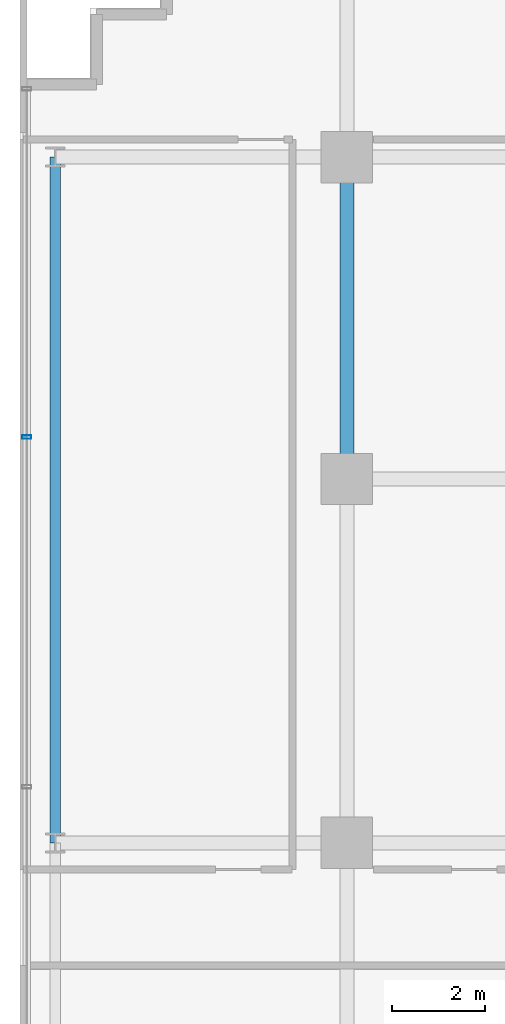
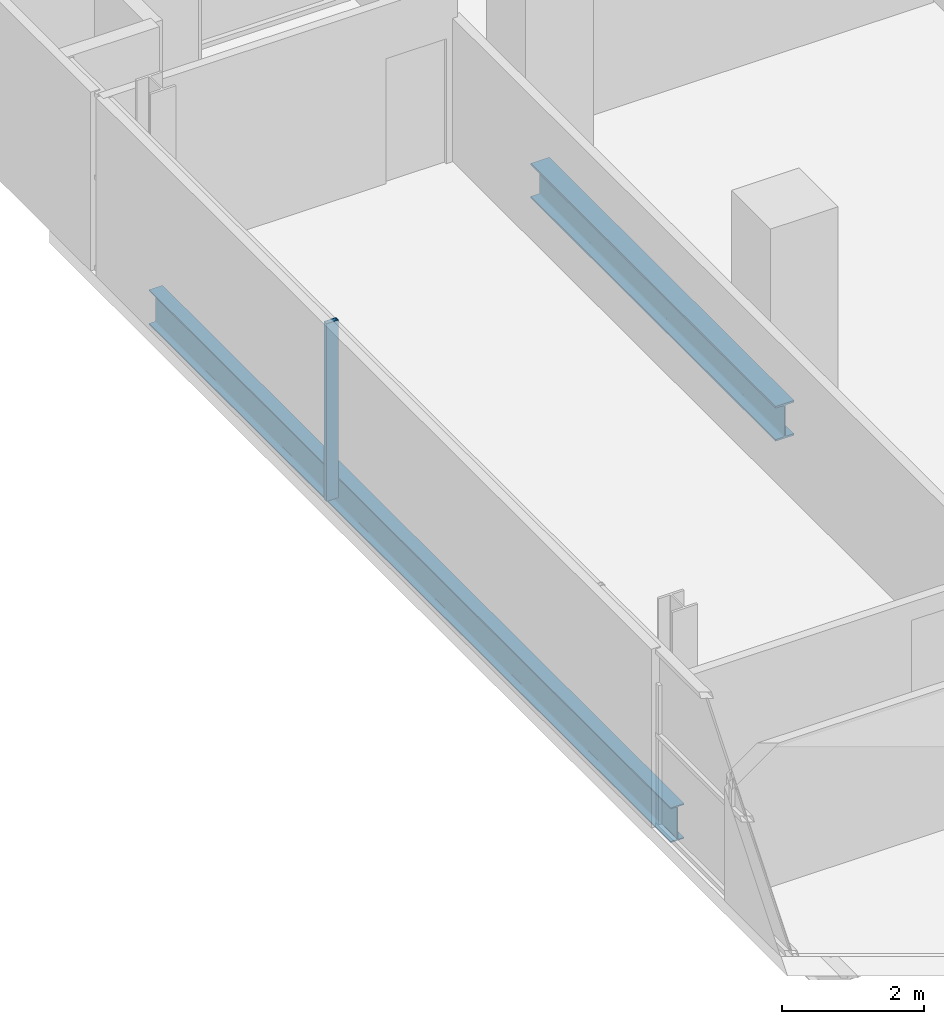
# One storey, part 9 of 28: 2 beams, 1 member, 1 element without a shape of its own.
"""IFC4 building model written with IfcOpenShell, lengths in metres."""

from ifc_helpers import new_model, si_unit, direction, frame, origin, origin_2d, place, context, subcontext, project, spatial, hollow_rectangle, i_section, extrude, source, transform, mapped, material, layer, layer_set, material_profile, profile_set, type_object, element, aggregate, save


model = new_model("IFC4")

# Units and contexts
model_context = context("Model", 3, precision=1e-05, world=origin(), true_north=direction((0.0, 1.0)))
body_context = subcontext(model_context, "Body", "Model", "MODEL_VIEW")
ifc_project = project(units=[si_unit("LENGTHUNIT", "METRE"), si_unit("AREAUNIT", "SQUARE_METRE"), si_unit("VOLUMEUNIT", "CUBIC_METRE"), si_unit("PLANEANGLEUNIT", "RADIAN"), si_unit("MASSUNIT", "GRAM", prefix="KILO")], contexts=[model_context])

# Site, building, storey
site_placement = place(None, origin())
site = spatial("IfcSite", under=ifc_project, at=site_placement, CompositionType="ELEMENT")
building_placement = place(site_placement, origin())
building = spatial("IfcBuilding", under=site, at=building_placement, Name="Zarnakvel Exchange Tower", CompositionType="ELEMENT")
storey_placement = place(building_placement, frame((0.0, 0.0, 57.10009765625)))
storey = spatial("IfcBuildingStorey", under=building, at=storey_placement, Name="L15", CompositionType="ELEMENT", Elevation=57.10009765625)

# Beams
ifc_material_1 = material(Name="Steel S355", Category="steel")
ifc_material_profile_1 = material_profile(ifc_material_1, i_section(OverallWidth=0.300048828125, OverallDepth=0.60009765625, WebThickness=0.015380859375, FlangeThickness=0.030029296875, FilletRadius=0.027099609375, at=origin_2d()))
ifc_profile_set_1 = profile_set([ifc_material_profile_1], Name="Steel S355")
beam_type_1 = type_object("IfcBeamType", Name="G-04", PredefinedType="BEAM", material=ifc_profile_set_1)
beam_1_placement = place(storey_placement, frame((-21.60009765625, 6.60009765625, -0.525146484375), z_axis=(0.0, 1.0, 0.0), x_axis=(-1.0, 0.0, 0.0)))
element("IfcBeam", 1, at=beam_1_placement, inside=storey, type_object=beam_type_1, Name="L15 Tower N-S Frame Beam", PredefinedType="BEAM", context=body_context, shape_type="SweptSolid", body=[
    extrude(i_section(OverallWidth=0.300048828125, OverallDepth=0.60009765625, WebThickness=0.015380859375, FlangeThickness=0.030029296875, FilletRadius=0.027099609375, at=origin_2d()), origin(), (0.0, 0.0, 1.0), 6.89990234375),
])
ifc_material_profile_2 = material_profile(ifc_material_1, i_section(OverallWidth=0.219970703125, OverallDepth=0.60009765625, WebThickness=0.011962890625, FlangeThickness=0.01904296875, FilletRadius=0.02392578125, at=origin_2d()))
ifc_profile_set_2 = profile_set([ifc_material_profile_2], Name="Steel S355")
beam_type_2 = type_object("IfcBeamType", Name="SP-01", PredefinedType="SPANDREL", material=ifc_profile_set_2)
beam_2_placement = place(storey_placement, frame((-27.85009765625, -1.199951171875, -0.525146484375), z_axis=(0.0, 1.0, 0.0), x_axis=(-1.0, 0.0, 0.0)))
element("IfcBeam", 2, at=beam_2_placement, inside=storey, type_object=beam_type_2, Name="L15 Tower N-S Frame Beam", PredefinedType="SPANDREL", context=body_context, shape_type="SweptSolid", body=[
    extrude(i_section(OverallWidth=0.219970703125, OverallDepth=0.60009765625, WebThickness=0.011962890625, FlangeThickness=0.01904296875, FilletRadius=0.02392578125, at=origin_2d()), origin(), (0.0, 0.0, 1.0), 14.699951171875),
])

# Curtain wall, member
ifc_material_2 = material(Name="Architectural Bronze Anodised Aluminium", Category="aluminium")
ifc_layer = layer(ifc_material_2, 0.199951171875)
ifc_layer_set = layer_set([ifc_layer], Name="Architectural Bronze Anodised Aluminium")
curtain_wall_type = type_object("IfcCurtainWallType", Name="CW-04", PredefinedType="NOTDEFINED", material=ifc_layer_set)
curtain_wall_placement = place(storey_placement, origin())
curtain_wall = element("IfcCurtainWall", 3, at=curtain_wall_placement, inside=storey, type_object=curtain_wall_type, Name="L15 Curtain Wall CW-L15-W1 (CW-04)", PredefinedType="NOTDEFINED")
ifc_material_profile_3 = material_profile(ifc_material_2, hollow_rectangle(XDim=0.199951171875, YDim=0.074951171875, WallThickness=0.0048828125, at=origin_2d()))
ifc_profile_set_3 = profile_set([ifc_material_profile_3], Name="Architectural Bronze Anodised Aluminium")
member_type = type_object("IfcMemberType", Name="CWM-04", PredefinedType="MULLION", material=ifc_profile_set_3)
shared_shape = source(origin(), body_context, "Body", "SweptSolid", [
    extrude(hollow_rectangle(XDim=0.199951171875, YDim=0.074951171875, WallThickness=0.0048828125, at=origin_2d()), origin(), (0.0, 0.0, 1.0), 3.054931640625),
])
member_placement = place(storey_placement, frame((-28.4599609375, 7.5, 0.0), z_axis=(0.0, 0.0, 1.0), x_axis=(-1.0, 0.0, 0.0)))
member = element("IfcMember", 4, at=member_placement, type_object=member_type, Name="CW-04 mullion 4", PredefinedType="MULLION", context=body_context, shape_type="MappedRepresentation", body=[
    mapped(shared_shape, transform((0.0, 0.0, 0.0), x_axis=(1.0, 0.0, 0.0), y_axis=(0.0, 1.0, 0.0), z_axis=(0.0, 0.0, 1.0), scale=1.0)),
])
aggregate(curtain_wall, [member])

save(model, "model.ifc")
